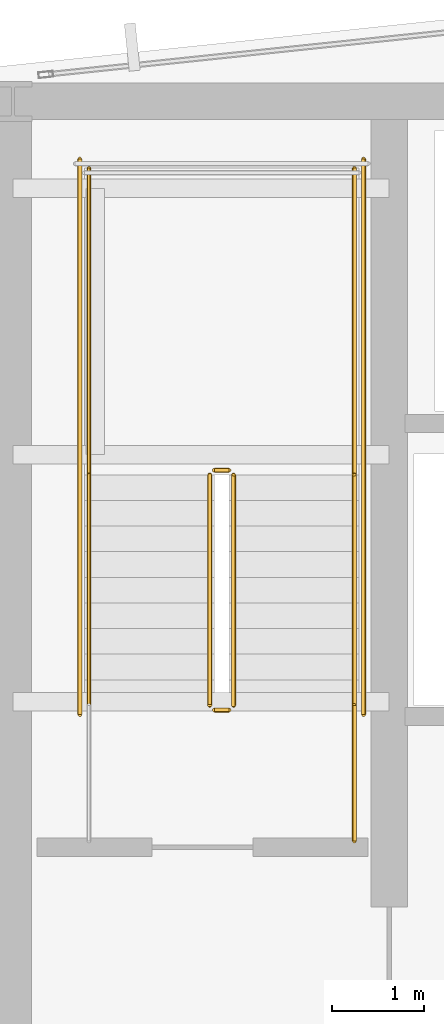
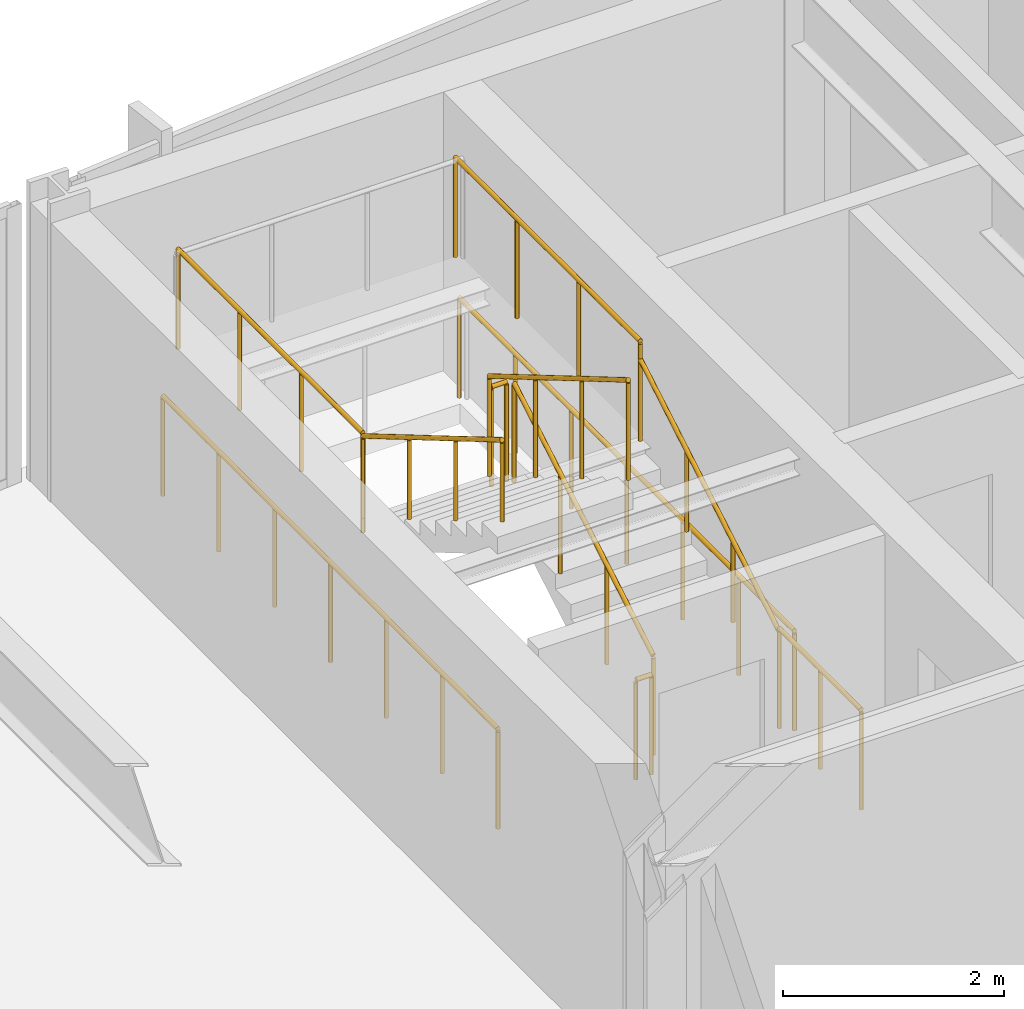
# One storey, part 31 of 33: 11 railings.
"""IFC4 building model written with IfcOpenShell, lengths in metres."""

from ifc_helpers import new_model, si_unit, direction, frame, origin, origin_2d, place, context, subcontext, project, spatial, circle, extrude, material, layer, layer_set, type_object, element, save


model = new_model("IFC4")

# Units and contexts
model_context = context("Model", 3, precision=1e-05, world=origin(), true_north=direction((0.0, 1.0)))
body_context = subcontext(model_context, "Body", "Model", "MODEL_VIEW")
ifc_project = project(units=[si_unit("LENGTHUNIT", "METRE"), si_unit("AREAUNIT", "SQUARE_METRE"), si_unit("VOLUMEUNIT", "CUBIC_METRE"), si_unit("PLANEANGLEUNIT", "RADIAN"), si_unit("MASSUNIT", "GRAM", prefix="KILO")], contexts=[model_context])

# Site, building, storey
site_placement = place(None, origin())
site = spatial("IfcSite", under=ifc_project, at=site_placement, CompositionType="ELEMENT")
building_placement = place(site_placement, origin())
building = spatial("IfcBuilding", under=site, at=building_placement, Name="Yelkora Congress Tower", CompositionType="ELEMENT")
storey_placement = place(building_placement, frame((0.0, 0.0, 230.89990234375)))
storey = spatial("IfcBuildingStorey", under=building, at=storey_placement, Name="L64", CompositionType="ELEMENT", Elevation=230.89990234375)

# Railings
ifc_material_1 = material(Name="Painted galvanised steel stair well guard with vertical infill", Category="steel")
ifc_layer_1 = layer(ifc_material_1, 0.06005859375)
ifc_layer_set_1 = layer_set([ifc_layer_1], Name="Painted galvanised steel stair well guard with vertical infill")
railing_type_1 = type_object("IfcRailingType", Name="RAIL-STAIR-GUARD-1120", PredefinedType="GUARDRAIL", material=ifc_layer_set_1)
railing_1_placement = place(storey_placement, frame((25.449951171875, 39.60009765625, 0.1650390625)))
element("IfcRailing", 1, at=railing_1_placement, inside=storey, type_object=railing_type_1, Name="ST-01 L64 Stair Well Guardrail 1", PredefinedType="GUARDRAIL", context=body_context, shape_type="SweptSolid", body=[
    extrude(circle(Radius=0.02392578125, at=origin_2d()), frame((0.0, 0.0, 1.09619140625), z_axis=(0.0, 0.86152411907, 0.507716645641), x_axis=(-1.0, 0.0, 0.0)), (0.0, 0.0, 1.0), 2.925048828125),
    extrude(circle(Radius=0.02099609375, at=origin_2d()), origin(), (0.0, 0.0, 1.0), 1.072021484375),
    extrude(circle(Radius=0.02099609375, at=origin_2d()), frame((0.0, 0.840087890625, 0.4951171875)), (0.0, 0.0, 1.0), 1.072021484375),
    extrude(circle(Radius=0.02099609375, at=origin_2d()), frame((0.0, 1.679931640625, 0.989990234375)), (0.0, 0.0, 1.0), 1.072021484375),
    extrude(circle(Radius=0.02099609375, at=origin_2d()), frame((0.0, 2.52001953125, 1.485107421875)), (0.0, 0.0, 1.0), 1.072021484375),
])
railing_2_placement = place(storey_placement, frame((25.39990234375, 42.169921875, 1.650146484375)))
element("IfcRailing", 2, at=railing_2_placement, inside=storey, type_object=railing_type_1, Name="ST-01 L64 Stair Well Guardrail 2", PredefinedType="GUARDRAIL", context=body_context, shape_type="SweptSolid", body=[
    extrude(circle(Radius=0.02392578125, at=origin_2d()), frame((0.0, 0.0, 1.09619140625), z_axis=(-1.0, 0.0, 0.0), x_axis=(0.0, -1.0, 0.0)), (0.0, 0.0, 1.0), 0.159912109375),
    extrude(circle(Radius=0.02099609375, at=origin_2d()), origin(), (0.0, 0.0, 1.0), 1.072021484375),
    extrude(circle(Radius=0.02099609375, at=origin_2d()), frame((-0.159912109375, 0.0, 0.0)), (0.0, 0.0, 1.0), 1.072021484375),
])
for number, where, name in (
    (3, (26.77001953125, 42.1201171875, 1.650146484375), "ST-01 L64 Stair Well Guardrail 3"),
    (4, (23.8701171875, 42.1201171875, 1.650146484375), "ST-01 L64 Stair Well Guardrail 4"),
):
    element("IfcRailing", number, at=place(storey_placement, frame(where)), inside=storey, type_object=railing_type_1, Name=name, PredefinedType="GUARDRAIL", context=body_context, shape_type="SweptSolid", body=[
        extrude(circle(Radius=0.02392578125, at=origin_2d()), frame((0.0, 0.0, 1.09619140625), z_axis=(0.0, 1.0, 0.0), x_axis=(-1.0, 0.0, 0.0)), (0.0, 0.0, 1.0), 3.349853515625),
        extrude(circle(Radius=0.02099609375, at=origin_2d()), origin(), (0.0, 0.0, 1.0), 1.072021484375),
        extrude(circle(Radius=0.02099609375, at=origin_2d()), frame((0.0, 1.11669921875, 0.0)), (0.0, 0.0, 1.0), 1.072021484375),
        extrude(circle(Radius=0.02099609375, at=origin_2d()), frame((0.0, 2.233154296875, 0.0)), (0.0, 0.0, 1.0), 1.072021484375),
        extrude(circle(Radius=0.02099609375, at=origin_2d()), frame((0.0, 3.349853515625, 0.0)), (0.0, 0.0, 1.0), 1.072021484375),
    ])
railing_3_placement = place(storey_placement, frame((25.18994140625, 42.1201171875, 1.815185546875)))
element("IfcRailing", 5, at=railing_3_placement, inside=storey, type_object=railing_type_1, Name="ST-01 L64 Stair Well Guardrail 6", PredefinedType="GUARDRAIL", context=body_context, shape_type="SweptSolid", body=[
    extrude(circle(Radius=0.02392578125, at=origin_2d()), frame((0.0, 0.0, 1.09619140625), z_axis=(0.0, -0.861560626758, 0.507654692109), x_axis=(1.0, 0.0, 0.0)), (0.0, 0.0, 1.0), 2.925048828125),
    extrude(circle(Radius=0.02099609375, at=origin_2d()), origin(), (0.0, 0.0, 1.0), 1.072021484375),
    extrude(circle(Radius=0.02099609375, at=origin_2d()), frame((0.0, -0.840087890625, 0.494873046875)), (0.0, 0.0, 1.0), 1.072021484375),
    extrude(circle(Radius=0.02099609375, at=origin_2d()), frame((0.0, -1.679931640625, 0.989990234375)), (0.0, 0.0, 1.0), 1.072021484375),
    extrude(circle(Radius=0.02099609375, at=origin_2d()), frame((0.0, -2.52001953125, 1.48486328125)), (0.0, 0.0, 1.0), 1.072021484375),
])
railing_4_placement = place(storey_placement, frame((25.39990234375, 39.550048828125, 0.0)))
element("IfcRailing", 6, at=railing_4_placement, inside=storey, type_object=railing_type_1, Name="ST-01 L64 Stair Well Guardrail 7", PredefinedType="GUARDRAIL", context=body_context, shape_type="SweptSolid", body=[
    extrude(circle(Radius=0.02392578125, at=origin_2d()), frame((0.0, 0.0, 1.09619140625), z_axis=(-1.0, 0.0, 0.0), x_axis=(0.0, -1.0, 0.0)), (0.0, 0.0, 1.0), 0.159912109375),
    extrude(circle(Radius=0.02099609375, at=origin_2d()), origin(), (0.0, 0.0, 1.0), 1.072021484375),
    extrude(circle(Radius=0.02099609375, at=origin_2d()), frame((-0.159912109375, 0.0, 0.0)), (0.0, 0.0, 1.0), 1.072021484375),
])
railing_5_placement = place(storey_placement, frame((26.77001953125, 38.1201171875, 0.0)))
element("IfcRailing", 7, at=railing_5_placement, inside=storey, type_object=railing_type_1, Name="ST-01 L64 Stair Well Guardrail 8", PredefinedType="GUARDRAIL", context=body_context, shape_type="SweptSolid", body=[
    extrude(circle(Radius=0.02392578125, at=origin_2d()), frame((0.0, 0.0, 1.09619140625), z_axis=(0.0, 1.0, 0.0), x_axis=(-1.0, 0.0, 0.0)), (0.0, 0.0, 1.0), 1.47998046875),
    extrude(circle(Radius=0.02099609375, at=origin_2d()), origin(), (0.0, 0.0, 1.0), 1.072021484375),
    extrude(circle(Radius=0.02099609375, at=origin_2d()), frame((0.0, 0.739990234375, 0.0)), (0.0, 0.0, 1.0), 1.072021484375),
    extrude(circle(Radius=0.02099609375, at=origin_2d()), frame((0.0, 1.47998046875, 0.0)), (0.0, 0.0, 1.0), 1.072021484375),
])
for number, where, name in (
    (8, (26.8701171875, 39.5, 0.0), "ST-01 L64 Stair Well Guardrail 10"),
    (9, (23.77001953125, 39.5, 0.0), "ST-01 L64 Stair Well Guardrail 11"),
):
    element("IfcRailing", number, at=place(storey_placement, frame(where)), inside=storey, type_object=railing_type_1, Name=name, PredefinedType="GUARDRAIL", context=body_context, shape_type="SweptSolid", body=[
        extrude(circle(Radius=0.02392578125, at=origin_2d()), frame((0.0, 0.0, 1.09619140625), z_axis=(0.0, 1.0, 0.0), x_axis=(-1.0, 0.0, 0.0)), (0.0, 0.0, 1.0), 6.070068359375),
        extrude(circle(Radius=0.02099609375, at=origin_2d()), origin(), (0.0, 0.0, 1.0), 1.072021484375),
        extrude(circle(Radius=0.02099609375, at=origin_2d()), frame((0.0, 1.01171875, 0.0)), (0.0, 0.0, 1.0), 1.072021484375),
        extrude(circle(Radius=0.02099609375, at=origin_2d()), frame((0.0, 2.0234375, 0.0)), (0.0, 0.0, 1.0), 1.072021484375),
        extrude(circle(Radius=0.02099609375, at=origin_2d()), frame((0.0, 3.03515625, 0.0)), (0.0, 0.0, 1.0), 1.072021484375),
        extrude(circle(Radius=0.02099609375, at=origin_2d()), frame((0.0, 4.046630859375, 0.0)), (0.0, 0.0, 1.0), 1.072021484375),
        extrude(circle(Radius=0.02099609375, at=origin_2d()), frame((0.0, 5.058349609375, 0.0)), (0.0, 0.0, 1.0), 1.072021484375),
        extrude(circle(Radius=0.02099609375, at=origin_2d()), frame((0.0, 6.070068359375, 0.0)), (0.0, 0.0, 1.0), 1.072021484375),
    ])
ifc_material_2 = material(Name="Brushed stainless steel tubular handrail", Category="steel")
ifc_layer_2 = layer(ifc_material_2, 0.050048828125)
ifc_layer_set_2 = layer_set([ifc_layer_2], Name="Brushed stainless steel tubular handrail")
railing_type_2 = type_object("IfcRailingType", Name="RAIL-STAIR-HAND-920", PredefinedType="HANDRAIL", material=ifc_layer_set_2)
railing_6_placement = place(storey_placement, frame((26.77001953125, 39.60009765625, 0.1650390625)))
element("IfcRailing", 10, at=railing_6_placement, inside=storey, type_object=railing_type_2, Name="ST-01 L64 Pitch Handrail 1", PredefinedType="HANDRAIL", context=body_context, shape_type="SweptSolid", body=[
    extrude(circle(Radius=0.02392578125, at=origin_2d()), frame((0.0, 0.0, 0.89599609375), z_axis=(0.0, 0.86152411907, 0.507716645641), x_axis=(-1.0, 0.0, 0.0)), (0.0, 0.0, 1.0), 2.925048828125),
    extrude(circle(Radius=0.02099609375, at=origin_2d()), origin(), (0.0, 0.0, 1.0), 0.871826171875),
    extrude(circle(Radius=0.02099609375, at=origin_2d()), frame((0.0, 0.840087890625, 0.4951171875)), (0.0, 0.0, 1.0), 0.871826171875),
    extrude(circle(Radius=0.02099609375, at=origin_2d()), frame((0.0, 1.679931640625, 0.989990234375)), (0.0, 0.0, 1.0), 0.871826171875),
    extrude(circle(Radius=0.02099609375, at=origin_2d()), frame((0.0, 2.52001953125, 1.485107421875)), (0.0, 0.0, 1.0), 0.871826171875),
])
railing_7_placement = place(storey_placement, frame((23.8701171875, 42.1201171875, 1.815185546875)))
element("IfcRailing", 11, at=railing_7_placement, inside=storey, type_object=railing_type_2, Name="ST-01 L64 Pitch Handrail 2", PredefinedType="HANDRAIL", context=body_context, shape_type="SweptSolid", body=[
    extrude(circle(Radius=0.02392578125, at=origin_2d()), frame((0.0, 0.0, 0.89599609375), z_axis=(0.0, -0.861560626758, 0.507654692109), x_axis=(1.0, 0.0, 0.0)), (0.0, 0.0, 1.0), 2.925048828125),
    extrude(circle(Radius=0.02099609375, at=origin_2d()), origin(), (0.0, 0.0, 1.0), 0.871826171875),
    extrude(circle(Radius=0.02099609375, at=origin_2d()), frame((0.0, -0.840087890625, 0.494873046875)), (0.0, 0.0, 1.0), 0.871826171875),
    extrude(circle(Radius=0.02099609375, at=origin_2d()), frame((0.0, -1.679931640625, 0.989990234375)), (0.0, 0.0, 1.0), 0.871826171875),
    extrude(circle(Radius=0.02099609375, at=origin_2d()), frame((0.0, -2.52001953125, 1.48486328125)), (0.0, 0.0, 1.0), 0.871826171875),
])

save(model, "model.ifc")
